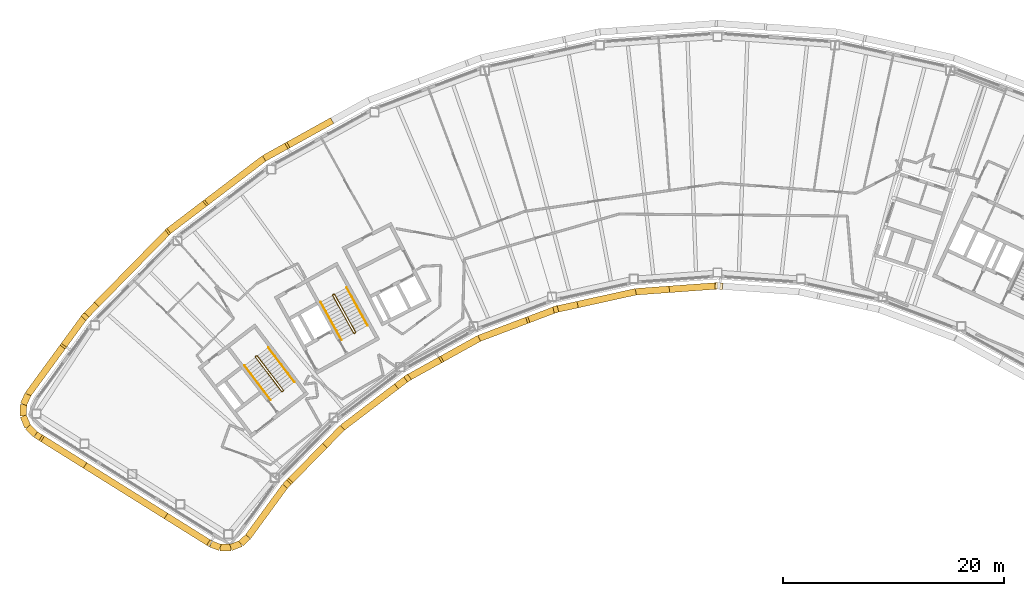
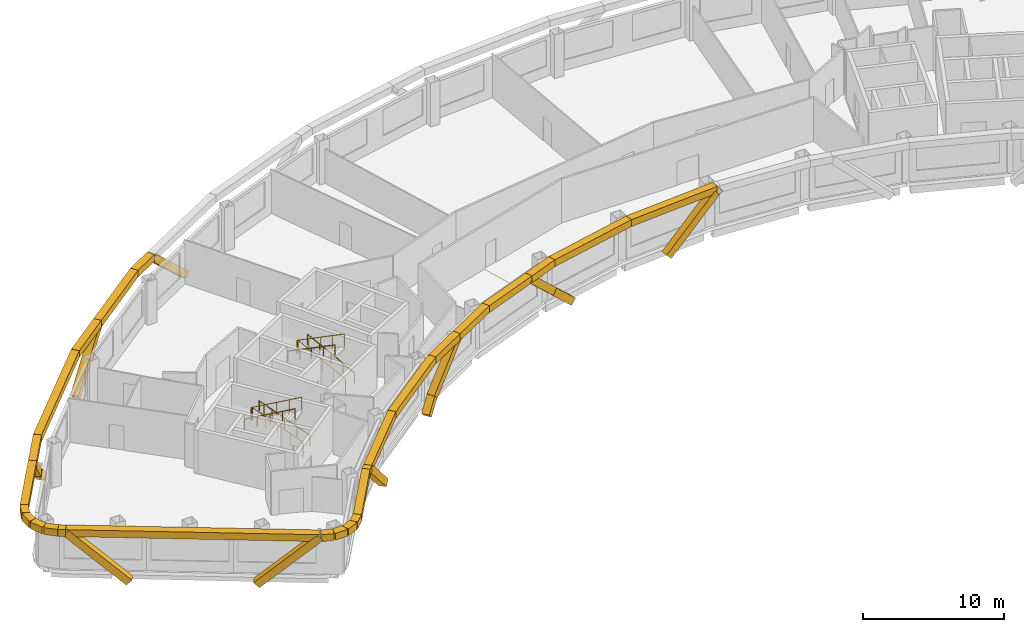
# One storey, part 15 of 18: 39 coverings, 6 railings.
"""IFC4 building model written with IfcOpenShell, lengths in metres."""

from ifc_helpers import new_model, si_unit, direction, frame, origin, origin_2d, place, context, subcontext, project, spatial, rectangle, circle, extrude, material, material_profile, profile_set, type_object, element, save


model = new_model("IFC4")

# Units and contexts
model_context = context("Model", 3, precision=1e-05, world=origin(), true_north=direction((0.0, 1.0)))
body_context = subcontext(model_context, "Body", "Model", "MODEL_VIEW")
ifc_project = project(units=[si_unit("LENGTHUNIT", "METRE"), si_unit("AREAUNIT", "SQUARE_METRE"), si_unit("VOLUMEUNIT", "CUBIC_METRE"), si_unit("PLANEANGLEUNIT", "RADIAN"), si_unit("MASSUNIT", "GRAM", prefix="KILO")], contexts=[model_context])

# Site, building, storey
site_placement = place(None, origin())
site = spatial("IfcSite", under=ifc_project, at=site_placement, CompositionType="ELEMENT")
building_placement = place(site_placement, origin())
building = spatial("IfcBuilding", under=site, at=building_placement, Name="Tuul Gate Civic Tower", CompositionType="ELEMENT")
storey_placement = place(building_placement, frame((0.0, 0.0, 234.699951171875)))
storey = spatial("IfcBuildingStorey", under=building, at=storey_placement, Name="Level 53", CompositionType="ELEMENT", Elevation=234.699951171875)

# Railings
ifc_material_1 = material(Name="Painted steel", Category="steel")
railing_type_1 = type_object("IfcRailingType", Name="Stair guard", PredefinedType="GUARDRAIL", material=ifc_material_1)
railing_1_placement = place(storey_placement, frame((-33.382080078125, -13.515380859375, 0.0)))
element("IfcRailing", 1, at=railing_1_placement, inside=storey, type_object=railing_type_1, Name="Level 53 ST-1 stair guard 1", PredefinedType="GUARDRAIL", context=body_context, shape_type="SweptSolid", body=[
    extrude(circle(Radius=0.02392578125, at=origin_2d()), frame((0.0, 0.0, 1.076171875), z_axis=(-0.795879841968, -0.605454603706, 0.0), x_axis=(0.605454603706, -0.795879841968, 0.0)), (0.0, 0.0, 1.0), 0.10009765625),
    extrude(circle(Radius=0.02392578125, at=origin_2d()), frame((-0.07958984375, -0.060546875, 1.076171875), z_axis=(0.408676696321, 0.599019267211, 0.688592241747), x_axis=(-0.826063974707, 0.563576356576, 0.0)), (0.0, 0.0, 1.0), 0.218017578125),
    extrude(circle(Radius=0.02392578125, at=origin_2d()), frame((0.009521484375, 0.070068359375, 1.22607421875), z_axis=(-0.541824460341, 0.711645023348, 0.447199748346), x_axis=(-0.795637165283, -0.60577347352, 0.0)), (0.0, 0.0, 1.0), 4.3603515625),
    extrude(circle(Radius=0.02392578125, at=origin_2d()), frame((-2.35302734375, 3.173095703125, 3.17626953125), z_axis=(-0.990893089246, 0.134650977284, 0.0), x_axis=(-0.134650977284, -0.990893089246, 0.0)), (0.0, 0.0, 1.0), 0.07080078125),
    extrude(circle(Radius=0.02392578125, at=origin_2d()), frame((-2.423095703125, 3.1826171875, 3.17626953125), z_axis=(-0.793802879778, -0.60817512943, 0.0), x_axis=(0.60817512943, -0.793802879778, 0.0)), (0.0, 0.0, 1.0), 0.099853515625),
    extrude(circle(Radius=0.02392578125, at=origin_2d()), frame((-2.50244140625, 3.121826171875, 3.17626953125), z_axis=(-0.057447065493, -0.422751481959, 0.904423031091), x_axis=(0.990893089246, -0.134650977284, 0.0)), (0.0, 0.0, 1.0), 0.165771484375),
    extrude(circle(Radius=0.02392578125, at=origin_2d()), frame((-2.511962890625, 3.0517578125, 3.326171875), z_axis=(0.541806494602, -0.71163897684, 0.447231136047), x_axis=(0.795644365679, 0.605764016233, 0.0)), (0.0, 0.0, 1.0), 4.360107421875),
    extrude(circle(Radius=0.02099609375, at=origin_2d()), origin(), (0.0, 0.0, 1.0), 1.052001953125),
    extrude(circle(Radius=0.02099609375, at=origin_2d()), frame((-0.07958984375, -0.060546875, 0.0)), (0.0, 0.0, 1.0), 1.052001953125),
    extrude(circle(Radius=0.02099609375, at=origin_2d()), frame((0.009521484375, 0.070068359375, 0.150146484375)), (0.0, 0.0, 1.0), 1.052001953125),
    extrude(circle(Radius=0.02099609375, at=origin_2d()), frame((-0.5810546875, 0.845703125, 0.6376953125)), (0.0, 0.0, 1.0), 1.052001953125),
    extrude(circle(Radius=0.02099609375, at=origin_2d()), frame((-1.171875, 1.62158203125, 1.125)), (0.0, 0.0, 1.0), 1.052001953125),
    extrude(circle(Radius=0.02099609375, at=origin_2d()), frame((-1.762451171875, 2.3974609375, 1.612548828125)), (0.0, 0.0, 1.0), 1.052001953125),
    extrude(circle(Radius=0.02099609375, at=origin_2d()), frame((-2.35302734375, 3.173095703125, 2.10009765625)), (0.0, 0.0, 1.0), 1.052001953125),
    extrude(circle(Radius=0.02099609375, at=origin_2d()), frame((-2.423095703125, 3.1826171875, 2.10009765625)), (0.0, 0.0, 1.0), 1.052001953125),
    extrude(circle(Radius=0.02099609375, at=origin_2d()), frame((-2.50244140625, 3.121826171875, 2.10009765625)), (0.0, 0.0, 1.0), 1.052001953125),
    extrude(circle(Radius=0.02099609375, at=origin_2d()), frame((-2.511962890625, 3.0517578125, 2.25)), (0.0, 0.0, 1.0), 1.052001953125),
    extrude(circle(Radius=0.02099609375, at=origin_2d()), frame((-1.92138671875, 2.276123046875, 2.737548828125)), (0.0, 0.0, 1.0), 1.052001953125),
    extrude(circle(Radius=0.02099609375, at=origin_2d()), frame((-1.330810546875, 1.50048828125, 3.22509765625)), (0.0, 0.0, 1.0), 1.052001953125),
    extrude(circle(Radius=0.02099609375, at=origin_2d()), frame((-0.740234375, 0.724609375, 3.71240234375)), (0.0, 0.0, 1.0), 1.052001953125),
    extrude(circle(Radius=0.02099609375, at=origin_2d()), frame((-0.149658203125, -0.051025390625, 4.199951171875)), (0.0, 0.0, 1.0), 1.052001953125),
])
railing_2_placement = place(storey_placement, frame((-26.857666015625, -8.247314453125, 0.0)))
element("IfcRailing", 2, at=railing_2_placement, inside=storey, type_object=railing_type_1, Name="Level 53 ST-2 stair guard 1", PredefinedType="GUARDRAIL", context=body_context, shape_type="SweptSolid", body=[
    extrude(circle(Radius=0.02392578125, at=origin_2d()), frame((0.0, 0.0, 1.076171875), z_axis=(-0.874616555828, -0.48481530532, 0.0), x_axis=(0.48481530532, -0.874616555828, 0.0)), (0.0, 0.0, 1.0), 0.10009765625),
    extrude(circle(Radius=0.02392578125, at=origin_2d()), frame((-0.087646484375, -0.048583984375, 1.076171875), z_axis=(0.490435707169, 0.534104639999, 0.688625479244), x_axis=(-0.736576986774, 0.676353711126, 0.0)), (0.0, 0.0, 1.0), 0.218017578125),
    extrude(circle(Radius=0.02392578125, at=origin_2d()), frame((0.019287109375, 0.06787109375, 1.22607421875), z_axis=(-0.43354991378, 0.782327185242, 0.447212083348), x_axis=(-0.874667644053, -0.484723129681, 0.0)), (0.0, 0.0, 1.0), 4.3603515625),
    extrude(circle(Radius=0.02392578125, at=origin_2d()), frame((-1.87109375, 3.47900390625, 3.17626953125), z_axis=(-0.961263487578, 0.275631107549, 0.0), x_axis=(-0.275631107549, -0.961263487578, 0.0)), (0.0, 0.0, 1.0), 0.07080078125),
    extrude(circle(Radius=0.02392578125, at=origin_2d()), frame((-1.939208984375, 3.49853515625, 3.17626953125), z_axis=(-0.874042088414, -0.485850211157, 0.0), x_axis=(0.485850211157, -0.874042088414, 0.0)), (0.0, 0.0, 1.0), 0.10009765625),
    extrude(circle(Radius=0.02392578125, at=origin_2d()), frame((-2.026611328125, 3.449951171875, 3.17626953125), z_axis=(-0.117866478395, -0.409586012422, 0.90462522168), x_axis=(0.961000426733, -0.276546885391, 0.0)), (0.0, 0.0, 1.0), 0.165771484375),
    extrude(circle(Radius=0.02392578125, at=origin_2d()), frame((-2.046142578125, 3.382080078125, 3.326171875), z_axis=(0.433595379963, -0.782308193291, 0.447201226726), x_axis=(0.874641102302, 0.484771020343, 0.0)), (0.0, 0.0, 1.0), 4.3603515625),
    extrude(circle(Radius=0.02099609375, at=origin_2d()), origin(), (0.0, 0.0, 1.0), 1.052001953125),
    extrude(circle(Radius=0.02099609375, at=origin_2d()), frame((-0.087646484375, -0.048583984375, 0.0)), (0.0, 0.0, 1.0), 1.052001953125),
    extrude(circle(Radius=0.02099609375, at=origin_2d()), frame((0.019287109375, 0.06787109375, 0.150146484375)), (0.0, 0.0, 1.0), 1.052001953125),
    extrude(circle(Radius=0.02099609375, at=origin_2d()), frame((-0.453369140625, 0.920654296875, 0.6376953125)), (0.0, 0.0, 1.0), 1.052001953125),
    extrude(circle(Radius=0.02099609375, at=origin_2d()), frame((-0.92578125, 1.7734375, 1.125)), (0.0, 0.0, 1.0), 1.052001953125),
    extrude(circle(Radius=0.02099609375, at=origin_2d()), frame((-1.3984375, 2.626220703125, 1.612548828125)), (0.0, 0.0, 1.0), 1.052001953125),
    extrude(circle(Radius=0.02099609375, at=origin_2d()), frame((-1.87109375, 3.47900390625, 2.10009765625)), (0.0, 0.0, 1.0), 1.052001953125),
    extrude(circle(Radius=0.02099609375, at=origin_2d()), frame((-1.939208984375, 3.49853515625, 2.10009765625)), (0.0, 0.0, 1.0), 1.052001953125),
    extrude(circle(Radius=0.02099609375, at=origin_2d()), frame((-2.026611328125, 3.449951171875, 2.10009765625)), (0.0, 0.0, 1.0), 1.052001953125),
    extrude(circle(Radius=0.02099609375, at=origin_2d()), frame((-2.046142578125, 3.382080078125, 2.25)), (0.0, 0.0, 1.0), 1.052001953125),
    extrude(circle(Radius=0.02099609375, at=origin_2d()), frame((-1.573486328125, 2.529296875, 2.737548828125)), (0.0, 0.0, 1.0), 1.052001953125),
    extrude(circle(Radius=0.02099609375, at=origin_2d()), frame((-1.100830078125, 1.676513671875, 3.22509765625)), (0.0, 0.0, 1.0), 1.052001953125),
    extrude(circle(Radius=0.02099609375, at=origin_2d()), frame((-0.628173828125, 0.82373046875, 3.71240234375)), (0.0, 0.0, 1.0), 1.052001953125),
    extrude(circle(Radius=0.02099609375, at=origin_2d()), frame((-0.155517578125, -0.029052734375, 4.199951171875)), (0.0, 0.0, 1.0), 1.052001953125),
])
ifc_material_2 = material(Name="Painted steel", Category="steel")
railing_type_2 = type_object("IfcRailingType", Name="Stair handrail", PredefinedType="HANDRAIL", material=ifc_material_2)
railing_3_placement = place(storey_placement, frame((-32.3779296875, -12.688232421875, 0.150146484375)))
element("IfcRailing", 3, at=railing_3_placement, inside=storey, type_object=railing_type_2, Name="Level 53 ST-1 stair handrail 1", PredefinedType="HANDRAIL", context=body_context, shape_type="SweptSolid", body=[
    extrude(circle(Radius=0.02392578125, at=origin_2d()), frame((0.0, 0.0, 0.8759765625), z_axis=(-0.541824460341, 0.711645023348, 0.447199748346), x_axis=(-0.795637165283, -0.60577347352, 0.0)), (0.0, 0.0, 1.0), 4.3603515625),
    extrude(circle(Radius=0.02099609375, at=origin_2d()), origin(), (0.0, 0.0, 1.0), 0.851806640625),
    extrude(circle(Radius=0.02099609375, at=origin_2d()), frame((-0.590576171875, 0.77587890625, 0.487548828125)), (0.0, 0.0, 1.0), 0.851806640625),
    extrude(circle(Radius=0.02099609375, at=origin_2d()), frame((-1.18115234375, 1.551513671875, 0.97509765625)), (0.0, 0.0, 1.0), 0.851806640625),
    extrude(circle(Radius=0.02099609375, at=origin_2d()), frame((-1.77197265625, 2.3271484375, 1.46240234375)), (0.0, 0.0, 1.0), 0.851806640625),
    extrude(circle(Radius=0.02099609375, at=origin_2d()), frame((-2.362548828125, 3.10302734375, 1.949951171875)), (0.0, 0.0, 1.0), 0.851806640625),
])
railing_4_placement = place(storey_placement, frame((-36.888671875, -11.220703125, 2.25)))
element("IfcRailing", 4, at=railing_4_placement, inside=storey, type_object=railing_type_2, Name="Level 53 ST-1 stair handrail 2", PredefinedType="HANDRAIL", context=body_context, shape_type="SweptSolid", body=[
    extrude(circle(Radius=0.02392578125, at=origin_2d()), frame((0.0, 0.0, 0.8759765625), z_axis=(0.541824460341, -0.711645023348, 0.447199748346), x_axis=(0.795637165283, 0.60577347352, 0.0)), (0.0, 0.0, 1.0), 4.3603515625),
    extrude(circle(Radius=0.02099609375, at=origin_2d()), origin(), (0.0, 0.0, 1.0), 0.851806640625),
    extrude(circle(Radius=0.02099609375, at=origin_2d()), frame((0.590576171875, -0.77587890625, 0.487548828125)), (0.0, 0.0, 1.0), 0.851806640625),
    extrude(circle(Radius=0.02099609375, at=origin_2d()), frame((1.18115234375, -1.551513671875, 0.97509765625)), (0.0, 0.0, 1.0), 0.851806640625),
    extrude(circle(Radius=0.02099609375, at=origin_2d()), frame((1.77197265625, -2.3271484375, 1.46240234375)), (0.0, 0.0, 1.0), 0.851806640625),
    extrude(circle(Radius=0.02099609375, at=origin_2d()), frame((2.362548828125, -3.10302734375, 1.949951171875)), (0.0, 0.0, 1.0), 0.851806640625),
])
railing_5_placement = place(storey_placement, frame((-25.744873046875, -7.573486328125, 0.150146484375)))
element("IfcRailing", 5, at=railing_5_placement, inside=storey, type_object=railing_type_2, Name="Level 53 ST-2 stair handrail 1", PredefinedType="HANDRAIL", context=body_context, shape_type="SweptSolid", body=[
    extrude(circle(Radius=0.02392578125, at=origin_2d()), frame((0.0, 0.0, 0.8759765625), z_axis=(-0.433595379963, 0.782308193291, 0.447201226726), x_axis=(-0.874641102302, -0.484771020343, 0.0)), (0.0, 0.0, 1.0), 4.3603515625),
    extrude(circle(Radius=0.02099609375, at=origin_2d()), origin(), (0.0, 0.0, 1.0), 0.851806640625),
    extrude(circle(Radius=0.02099609375, at=origin_2d()), frame((-0.47265625, 0.852783203125, 0.487548828125)), (0.0, 0.0, 1.0), 0.851806640625),
    extrude(circle(Radius=0.02099609375, at=origin_2d()), frame((-0.9453125, 1.70556640625, 0.97509765625)), (0.0, 0.0, 1.0), 0.851806640625),
    extrude(circle(Radius=0.02099609375, at=origin_2d()), frame((-1.41796875, 2.558349609375, 1.46240234375)), (0.0, 0.0, 1.0), 0.851806640625),
    extrude(circle(Radius=0.02099609375, at=origin_2d()), frame((-1.890625, 3.4111328125, 1.949951171875)), (0.0, 0.0, 1.0), 0.851806640625),
])
railing_6_placement = place(storey_placement, frame((-29.9970703125, -5.47119140625, 2.25)))
element("IfcRailing", 6, at=railing_6_placement, inside=storey, type_object=railing_type_2, Name="Level 53 ST-2 stair handrail 2", PredefinedType="HANDRAIL", context=body_context, shape_type="SweptSolid", body=[
    extrude(circle(Radius=0.02392578125, at=origin_2d()), frame((0.0, 0.0, 0.8759765625), z_axis=(0.433595379963, -0.782308193291, 0.447201226726), x_axis=(0.874641102302, 0.484771020343, 0.0)), (0.0, 0.0, 1.0), 4.3603515625),
    extrude(circle(Radius=0.02099609375, at=origin_2d()), origin(), (0.0, 0.0, 1.0), 0.851806640625),
    extrude(circle(Radius=0.02099609375, at=origin_2d()), frame((0.47265625, -0.852783203125, 0.487548828125)), (0.0, 0.0, 1.0), 0.851806640625),
    extrude(circle(Radius=0.02099609375, at=origin_2d()), frame((0.9453125, -1.70556640625, 0.97509765625)), (0.0, 0.0, 1.0), 0.851806640625),
    extrude(circle(Radius=0.02099609375, at=origin_2d()), frame((1.41796875, -2.558349609375, 1.46240234375)), (0.0, 0.0, 1.0), 0.851806640625),
    extrude(circle(Radius=0.02099609375, at=origin_2d()), frame((1.890625, -3.4111328125, 1.949951171875)), (0.0, 0.0, 1.0), 0.851806640625),
])

# Coverings
ifc_material_3 = material(Name="Terracotta baguette", Category="masonry")
ifc_material_profile = material_profile(ifc_material_3, rectangle(XDim=0.60009765625, YDim=0.60009765625, at=origin_2d()), Name="Terracotta baguette screen frame")
ifc_profile_set = profile_set([ifc_material_profile], Name="Terracotta baguette")
covering_type = type_object("IfcCoveringType", Name="Terracotta baguette screen frame", PredefinedType="CLADDING", material=ifc_profile_set)
covering_1_placement = place(storey_placement, frame((-29.1328125, 10.86962890625, -0.349853515625), z_axis=(-0.641761439668, -0.35575304914, 0.679398279791), x_axis=(0.48482929666, -0.874608800036, 0.0)))
element("IfcCovering", 7, at=covering_1_placement, inside=storey, type_object=covering_type, Name="Baguette 104", PredefinedType="CLADDING", context=body_context, shape_type="SweptSolid", body=[
    extrude(rectangle(XDim=0.60009765625, YDim=0.60009765625, at=origin_2d()), origin(), (0.0, 0.0, 1.0), 6.181884765625),
])
covering_2_placement = place(storey_placement, frame((-33.10009765625, 8.67041015625, 3.85009765625), z_axis=(-0.874590710613, -0.484861927675, 0.0), x_axis=(0.484861927675, -0.874590710613, 0.0)))
element("IfcCovering", 8, at=covering_2_placement, inside=storey, type_object=covering_type, Name="Baguette 109", PredefinedType="CLADDING", context=body_context, shape_type="SweptSolid", body=[
    extrude(rectangle(XDim=0.60009765625, YDim=0.60009765625, at=origin_2d()), origin(), (0.0, 0.0, 1.0), 2.3095703125),
])
covering_3_placement = place(storey_placement, frame((-35.1201171875, 7.550537109375, 3.85009765625), z_axis=(-0.795616483898, -0.605800635977, 0.0), x_axis=(0.605800635977, -0.795616483898, 0.0)))
element("IfcCovering", 9, at=covering_3_placement, inside=storey, type_object=covering_type, Name="Baguette 110", PredefinedType="CLADDING", context=body_context, shape_type="SweptSolid", body=[
    extrude(rectangle(XDim=0.60009765625, YDim=0.60009765625, at=origin_2d()), origin(), (0.0, 0.0, 1.0), 6.762939453125),
])
covering_4_placement = place(storey_placement, frame((-40.500732421875, 3.45361328125, 3.85009765625), z_axis=(-0.583816270672, -0.444522370607, -0.679380912396), x_axis=(0.605793108402, -0.79562221551, 0.0)))
element("IfcCovering", 10, at=covering_4_placement, inside=storey, type_object=covering_type, Name="Baguette 113", PredefinedType="CLADDING", context=body_context, shape_type="SweptSolid", body=[
    extrude(rectangle(XDim=0.60009765625, YDim=0.60009765625, at=origin_2d()), origin(), (0.0, 0.0, 1.0), 5.57177734375),
])
covering_5_placement = place(storey_placement, frame((-50.41748046875, -5.822021484375, -0.349853515625), z_axis=(-0.513733098761, -0.523959320737, 0.679370983668), x_axis=(0.714040485418, -0.700104410202, 0.0)))
element("IfcCovering", 11, at=covering_5_placement, inside=storey, type_object=covering_type, Name="Baguette 127", PredefinedType="CLADDING", context=body_context, shape_type="SweptSolid", body=[
    extrude(rectangle(XDim=0.60009765625, YDim=0.60009765625, at=origin_2d()), origin(), (0.0, 0.0, 1.0), 1.814453125),
])
covering_6_placement = place(storey_placement, frame((-51.349609375, -6.772705078125, 0.8828125), z_axis=(-0.433893580082, -0.593928069857, 0.677484914223), x_axis=(0.807475813419, -0.58990067871, 0.0)))
element("IfcCovering", 12, at=covering_6_placement, inside=storey, type_object=covering_type, Name="Baguette 128", PredefinedType="CLADDING", context=body_context, shape_type="SweptSolid", body=[
    extrude(rectangle(XDim=0.60009765625, YDim=0.60009765625, at=origin_2d()), origin(), (0.0, 0.0, 1.0), 4.3798828125),
])
covering_7_placement = place(storey_placement, frame((-53.25, -9.3740234375, 3.85009765625), z_axis=(-0.589871149902, -0.807497384834, 0.0), x_axis=(0.807497384834, -0.589871149902, 0.0)))
element("IfcCovering", 13, at=covering_7_placement, inside=storey, type_object=covering_type, Name="Baguette 141", PredefinedType="CLADDING", context=body_context, shape_type="SweptSolid", body=[
    extrude(rectangle(XDim=0.60009765625, YDim=0.60009765625, at=origin_2d()), origin(), (0.0, 0.0, 1.0), 5.513916015625),
])
covering_8_placement = place(storey_placement, frame((-56.50244140625, -13.826416015625, 3.85009765625), z_axis=(-0.411904289645, -0.911227115582, 0.0), x_axis=(0.911227115582, -0.411904289645, 0.0)))
element("IfcCovering", 14, at=covering_8_placement, inside=storey, type_object=covering_type, Name="Baguette 142", PredefinedType="CLADDING", context=body_context, shape_type="SweptSolid", body=[
    extrude(rectangle(XDim=0.60009765625, YDim=0.60009765625, at=origin_2d()), origin(), (0.0, 0.0, 1.0), 0.988525390625),
])
covering_9_placement = place(storey_placement, frame((-56.90966796875, -14.727294921875, 3.85009765625), z_axis=(-0.014657151856, -0.99989257818, 0.0), x_axis=(0.99989257818, -0.014657151856, 0.0)))
element("IfcCovering", 15, at=covering_9_placement, inside=storey, type_object=covering_type, Name="Baguette 143", PredefinedType="CLADDING", context=body_context, shape_type="SweptSolid", body=[
    extrude(rectangle(XDim=0.60009765625, YDim=0.60009765625, at=origin_2d()), origin(), (0.0, 0.0, 1.0), 1.06591796875),
])
covering_10_placement = place(storey_placement, frame((-56.92529296875, -15.793212890625, 3.85009765625), z_axis=(0.385784883999, -0.922588761734, 0.0), x_axis=(0.922588761734, 0.385784883999, 0.0)))
element("IfcCovering", 16, at=covering_10_placement, inside=storey, type_object=covering_type, Name="Baguette 144", PredefinedType="CLADDING", context=body_context, shape_type="SweptSolid", body=[
    extrude(rectangle(XDim=0.60009765625, YDim=0.60009765625, at=origin_2d()), origin(), (0.0, 0.0, 1.0), 1.06689453125),
])
covering_11_placement = place(storey_placement, frame((-56.513671875, -16.777587890625, 3.85009765625), z_axis=(0.722137314744, -0.691749737011, 0.0), x_axis=(0.691749737011, 0.722137314744, 0.0)))
element("IfcCovering", 17, at=covering_11_placement, inside=storey, type_object=covering_type, Name="Baguette 145", PredefinedType="CLADDING", context=body_context, shape_type="SweptSolid", body=[
    extrude(rectangle(XDim=0.60009765625, YDim=0.60009765625, at=origin_2d()), origin(), (0.0, 0.0, 1.0), 0.98828125),
])
covering_12_placement = place(storey_placement, frame((-55.800048828125, -17.461181640625, 3.85009765625), z_axis=(0.848253589781, -0.529590263717, 0.0), x_axis=(0.529590263717, 0.848253589781, 0.0)))
element("IfcCovering", 18, at=covering_12_placement, inside=storey, type_object=covering_type, Name="Baguette 146", PredefinedType="CLADDING", context=body_context, shape_type="SweptSolid", body=[
    extrude(rectangle(XDim=0.60009765625, YDim=0.60009765625, at=origin_2d()), origin(), (0.0, 0.0, 1.0), 0.537109375),
])
covering_13_placement = place(storey_placement, frame((-55.344482421875, -17.74560546875, 3.85009765625), z_axis=(0.621682648798, -0.388452812544, -0.680158140884), x_axis=(0.529901976461, 0.848058898511, 0.0)))
element("IfcCovering", 19, at=covering_13_placement, inside=storey, type_object=covering_type, Name="Baguette 148", PredefinedType="CLADDING", context=body_context, shape_type="SweptSolid", body=[
    extrude(rectangle(XDim=0.60009765625, YDim=0.60009765625, at=origin_2d()), origin(), (0.0, 0.0, 1.0), 6.175048828125),
])
covering_14_placement = place(storey_placement, frame((-43.828125, -24.941650390625, -0.349853515625), z_axis=(0.62165839142, -0.388462360599, 0.68017485897), x_axis=(0.529926214669, 0.848043753002, 0.0)))
element("IfcCovering", 20, at=covering_14_placement, inside=storey, type_object=covering_type, Name="Baguette 156", PredefinedType="CLADDING", context=body_context, shape_type="SweptSolid", body=[
    extrude(rectangle(XDim=0.60009765625, YDim=0.60009765625, at=origin_2d()), origin(), (0.0, 0.0, 1.0), 6.1748046875),
])
covering_15_placement = place(storey_placement, frame((-39.944580078125, -27.368408203125, 3.85009765625), z_axis=(0.93189278144, -0.362733847194, 0.0), x_axis=(0.362733847194, 0.93189278144, 0.0)))
element("IfcCovering", 21, at=covering_15_placement, inside=storey, type_object=covering_type, Name="Baguette 172", PredefinedType="CLADDING", context=body_context, shape_type="SweptSolid", body=[
    extrude(rectangle(XDim=0.60009765625, YDim=0.60009765625, at=origin_2d()), origin(), (0.0, 0.0, 1.0), 0.901123046875),
])
covering_16_placement = place(storey_placement, frame((-39.104736328125, -27.6953125, 3.85009765625), z_axis=(0.999996192163, 0.002759648297, 0.0), x_axis=(-0.002759648297, 0.999996192163, 0.0)))
element("IfcCovering", 22, at=covering_16_placement, inside=storey, type_object=covering_type, Name="Baguette 173", PredefinedType="CLADDING", context=body_context, shape_type="SweptSolid", body=[
    extrude(rectangle(XDim=0.60009765625, YDim=0.60009765625, at=origin_2d()), origin(), (0.0, 0.0, 1.0), 0.97314453125),
])
covering_17_placement = place(storey_placement, frame((-38.131591796875, -27.692626953125, 3.85009765625), z_axis=(0.929477054746, 0.368879932634, 0.0), x_axis=(-0.368879932634, 0.929477054746, 0.0)))
element("IfcCovering", 23, at=covering_17_placement, inside=storey, type_object=covering_type, Name="Baguette 174", PredefinedType="CLADDING", context=body_context, shape_type="SweptSolid", body=[
    extrude(rectangle(XDim=0.60009765625, YDim=0.60009765625, at=origin_2d()), origin(), (0.0, 0.0, 1.0), 0.972900390625),
])
covering_18_placement = place(storey_placement, frame((-37.227294921875, -27.333740234375, 3.85009765625), z_axis=(0.730001285686, 0.683445771731, 0.0), x_axis=(-0.683445771731, 0.730001285686, 0.0)))
element("IfcCovering", 24, at=covering_18_placement, inside=storey, type_object=covering_type, Name="Baguette 175", PredefinedType="CLADDING", context=body_context, shape_type="SweptSolid", body=[
    extrude(rectangle(XDim=0.60009765625, YDim=0.60009765625, at=origin_2d()), origin(), (0.0, 0.0, 1.0), 0.902099609375),
])
covering_19_placement = place(storey_placement, frame((-36.56884765625, -26.71728515625, 3.85009765625), z_axis=(0.589841740077, 0.807518867682, 0.0), x_axis=(-0.807518867682, 0.589841740077, 0.0)))
element("IfcCovering", 25, at=covering_19_placement, inside=storey, type_object=covering_type, Name="Baguette 176", PredefinedType="CLADDING", context=body_context, shape_type="SweptSolid", body=[
    extrude(rectangle(XDim=0.60009765625, YDim=0.60009765625, at=origin_2d()), origin(), (0.0, 0.0, 1.0), 5.671875),
])
covering_20_placement = place(storey_placement, frame((-33.223388671875, -22.13720703125, 3.85009765625), z_axis=(0.699894417336, 0.714246319264, 0.0), x_axis=(-0.714246319264, 0.699894417336, 0.0)))
element("IfcCovering", 26, at=covering_20_placement, inside=storey, type_object=covering_type, Name="Baguette 177", PredefinedType="CLADDING", context=body_context, shape_type="SweptSolid", body=[
    extrude(rectangle(XDim=0.60009765625, YDim=0.60009765625, at=origin_2d()), origin(), (0.0, 0.0, 1.0), 0.51025390625),
])
covering_21_placement = place(storey_placement, frame((-32.8662109375, -21.772705078125, 3.85009765625), z_axis=(0.507830751011, 0.517993767932, -0.688324331047), x_axis=(-0.714077164411, 0.700066999127, 0.0)))
element("IfcCovering", 27, at=covering_21_placement, inside=storey, type_object=covering_type, Name="Baguette 179", PredefinedType="CLADDING", context=body_context, shape_type="SweptSolid", body=[
    extrude(rectangle(XDim=0.60009765625, YDim=0.60009765625, at=origin_2d()), origin(), (0.0, 0.0, 1.0), 6.101806640625),
])
covering_22_placement = place(storey_placement, frame((-22.96240234375, -12.98046875, -0.349853515625), z_axis=(0.577099521251, 0.43950168578, 0.688327255576), x_axis=(-0.605874698824, 0.795560085302, 0.0)))
element("IfcCovering", 28, at=covering_22_placement, inside=storey, type_object=covering_type, Name="Baguette 192", PredefinedType="CLADDING", context=body_context, shape_type="SweptSolid", body=[
    extrude(rectangle(XDim=0.60009765625, YDim=0.60009765625, at=origin_2d()), origin(), (0.0, 0.0, 1.0), 1.4443359375),
])
covering_23_placement = place(storey_placement, frame((-22.12890625, -12.345703125, 0.644287109375), z_axis=(0.634422759149, 0.351653269573, 0.688365993256), x_axis=(-0.484795901821, 0.874627311246, 0.0)))
element("IfcCovering", 29, at=covering_23_placement, inside=storey, type_object=covering_type, Name="Baguette 193", PredefinedType="CLADDING", context=body_context, shape_type="SweptSolid", body=[
    extrude(rectangle(XDim=0.60009765625, YDim=0.60009765625, at=origin_2d()), origin(), (0.0, 0.0, 1.0), 4.6572265625),
])
covering_24_placement = place(storey_placement, frame((-19.17431640625, -10.7080078125, 3.85009765625), z_axis=(0.874607276747, 0.484832044589, 0.0), x_axis=(-0.484832044589, 0.874607276747, 0.0)))
element("IfcCovering", 30, at=covering_24_placement, inside=storey, type_object=covering_type, Name="Baguette 198", PredefinedType="CLADDING", context=body_context, shape_type="SweptSolid", body=[
    extrude(rectangle(XDim=0.60009765625, YDim=0.60009765625, at=origin_2d()), origin(), (0.0, 0.0, 1.0), 4.0400390625),
])
covering_25_placement = place(storey_placement, frame((-15.640869140625, -8.749267578125, 3.85009765625), z_axis=(0.93536656786, 0.353679775686, 0.0), x_axis=(-0.353679775686, 0.93536656786, 0.0)))
element("IfcCovering", 31, at=covering_25_placement, inside=storey, type_object=covering_type, Name="Baguette 199", PredefinedType="CLADDING", context=body_context, shape_type="SweptSolid", body=[
    extrude(rectangle(XDim=0.60009765625, YDim=0.60009765625, at=origin_2d()), origin(), (0.0, 0.0, 1.0), 4.81201171875),
])
covering_26_placement = place(storey_placement, frame((-11.139892578125, -7.04736328125, 3.85009765625), z_axis=(0.678497137043, 0.256543138255, -0.688351111889), x_axis=(-0.353668375938, 0.935370878241, 0.0)))
element("IfcCovering", 32, at=covering_26_placement, inside=storey, type_object=covering_type, Name="Baguette 202", PredefinedType="CLADDING", context=body_context, shape_type="SweptSolid", body=[
    extrude(rectangle(XDim=0.60009765625, YDim=0.60009765625, at=origin_2d()), origin(), (0.0, 0.0, 1.0), 3.592529296875),
])
covering_27_placement = place(storey_placement, frame((-8.702392578125, -6.125732421875, 1.377197265625), z_axis=(0.708380708043, 0.156174592913, -0.688335869326), x_axis=(-0.215296786561, 0.976548664275, 0.0)))
element("IfcCovering", 33, at=covering_27_placement, inside=storey, type_object=covering_type, Name="Baguette 203", PredefinedType="CLADDING", context=body_context, shape_type="SweptSolid", body=[
    extrude(rectangle(XDim=0.60009765625, YDim=0.60009765625, at=origin_2d()), origin(), (0.0, 0.0, 1.0), 2.509033203125),
])
covering_28_placement = place(storey_placement, frame((1.787109375, -4.294189453125, -0.349853515625), z_axis=(0.723507252188, 0.052317102892, 0.688331443983), x_axis=(-0.072122095663, 0.997395810758, 0.0)))
element("IfcCovering", 34, at=covering_28_placement, inside=storey, type_object=covering_type, Name="Baguette 218", PredefinedType="CLADDING", context=body_context, shape_type="SweptSolid", body=[
    extrude(rectangle(XDim=0.60009765625, YDim=0.60009765625, at=origin_2d()), origin(), (0.0, 0.0, 1.0), 5.73974609375),
])
covering_29_placement = place(storey_placement, frame((5.93994140625, -3.993896484375, 3.60107421875), z_axis=(0.723454877751, -0.052639440732, 0.688361917263), x_axis=(0.072569349598, 0.997363368837, 0.0)))
element("IfcCovering", 35, at=covering_29_placement, inside=storey, type_object=covering_type, Name="Baguette 219", PredefinedType="CLADDING", context=body_context, shape_type="SweptSolid", body=[
    extrude(rectangle(XDim=0.60009765625, YDim=0.60009765625, at=origin_2d()), origin(), (0.0, 0.0, 1.0), 0.36181640625),
])
covering_30_placement = place(storey_placement, frame((-40.500732421875, 3.45361328125, 3.85009765625), z_axis=(-0.79562221551, -0.605793108402, 0.0), x_axis=(0.605793108402, -0.79562221551, 0.0)))
element("IfcCovering", 36, at=covering_30_placement, inside=storey, type_object=covering_type, Name="Baguette 424", PredefinedType="CLADDING", context=body_context, shape_type="SweptSolid", body=[
    extrude(rectangle(XDim=0.60009765625, YDim=0.60009765625, at=origin_2d()), origin(), (0.0, 0.0, 1.0), 4.088623046875),
])
covering_31_placement = place(storey_placement, frame((-43.753662109375, 0.976806640625, 3.85009765625), z_axis=(-0.699995601925, -0.714147153804, 0.0), x_axis=(0.714147153804, -0.699995601925, 0.0)))
element("IfcCovering", 37, at=covering_31_placement, inside=storey, type_object=covering_type, Name="Baguette 425", PredefinedType="CLADDING", context=body_context, shape_type="SweptSolid", body=[
    extrude(rectangle(XDim=0.60009765625, YDim=0.60009765625, at=origin_2d()), origin(), (0.0, 0.0, 1.0), 10.851318359375),
])
covering_32_placement = place(storey_placement, frame((-51.349609375, -6.772705078125, 3.85009765625), z_axis=(-0.58990067871, -0.807475813419, 0.0), x_axis=(0.807475813419, -0.58990067871, 0.0)))
element("IfcCovering", 38, at=covering_32_placement, inside=storey, type_object=covering_type, Name="Baguette 426", PredefinedType="CLADDING", context=body_context, shape_type="SweptSolid", body=[
    extrude(rectangle(XDim=0.60009765625, YDim=0.60009765625, at=origin_2d()), origin(), (0.0, 0.0, 1.0), 3.221435546875),
])
covering_33_placement = place(storey_placement, frame((-55.344482421875, -17.74560546875, 3.85009765625), z_axis=(0.848051326016, -0.529914095342, 0.0), x_axis=(0.529914095342, 0.848051326016, 0.0)))
element("IfcCovering", 39, at=covering_33_placement, inside=storey, type_object=covering_type, Name="Baguette 427", PredefinedType="CLADDING", context=body_context, shape_type="SweptSolid", body=[
    extrude(rectangle(XDim=0.60009765625, YDim=0.60009765625, at=origin_2d()), origin(), (0.0, 0.0, 1.0), 18.106201171875),
])
covering_34_placement = place(storey_placement, frame((-32.8662109375, -21.772705078125, 3.85009765625), z_axis=(0.70003854765, 0.714105056559, 0.0), x_axis=(-0.714105056559, 0.70003854765, 0.0)))
element("IfcCovering", 40, at=covering_34_placement, inside=storey, type_object=covering_type, Name="Baguette 428", PredefinedType="CLADDING", context=body_context, shape_type="SweptSolid", body=[
    extrude(rectangle(XDim=0.60009765625, YDim=0.60009765625, at=origin_2d()), origin(), (0.0, 0.0, 1.0), 6.90771484375),
])
covering_35_placement = place(storey_placement, frame((-28.030517578125, -16.83984375, 3.85009765625), z_axis=(0.795582797942, 0.60584487422, 0.0), x_axis=(-0.60584487422, 0.795582797942, 0.0)))
element("IfcCovering", 41, at=covering_35_placement, inside=storey, type_object=covering_type, Name="Baguette 429", PredefinedType="CLADDING", context=body_context, shape_type="SweptSolid", body=[
    extrude(rectangle(XDim=0.60009765625, YDim=0.60009765625, at=origin_2d()), origin(), (0.0, 0.0, 1.0), 7.41796875),
])
covering_36_placement = place(storey_placement, frame((-22.12890625, -12.345703125, 3.85009765625), z_axis=(0.874627311246, 0.484795901821, 0.0), x_axis=(-0.484795901821, 0.874627311246, 0.0)))
element("IfcCovering", 42, at=covering_36_placement, inside=storey, type_object=covering_type, Name="Baguette 430", PredefinedType="CLADDING", context=body_context, shape_type="SweptSolid", body=[
    extrude(rectangle(XDim=0.60009765625, YDim=0.60009765625, at=origin_2d()), origin(), (0.0, 0.0, 1.0), 3.378173828125),
])
covering_37_placement = place(storey_placement, frame((-11.139892578125, -7.04736328125, 3.85009765625), z_axis=(0.935370878241, 0.353668375938, 0.0), x_axis=(-0.353668375938, 0.935370878241, 0.0)))
element("IfcCovering", 43, at=covering_37_placement, inside=storey, type_object=covering_type, Name="Baguette 431", PredefinedType="CLADDING", context=body_context, shape_type="SweptSolid", body=[
    extrude(rectangle(XDim=0.60009765625, YDim=0.60009765625, at=origin_2d()), origin(), (0.0, 0.0, 1.0), 2.60595703125),
])
covering_38_placement = place(storey_placement, frame((-8.702392578125, -6.125732421875, 3.85009765625), z_axis=(0.976557361117, 0.215257335413, 0.0), x_axis=(-0.215257335413, 0.976557361117, 0.0)))
element("IfcCovering", 44, at=covering_38_placement, inside=storey, type_object=covering_type, Name="Baguette 432", PredefinedType="CLADDING", context=body_context, shape_type="SweptSolid", body=[
    extrude(rectangle(XDim=0.60009765625, YDim=0.60009765625, at=origin_2d()), origin(), (0.0, 0.0, 1.0), 7.41748046875),
])
covering_39_placement = place(storey_placement, frame((-1.458740234375, -4.529052734375, 3.85009765625), z_axis=(0.997394311548, 0.072142825637, 0.0), x_axis=(-0.072142825637, 0.997394311548, 0.0)))
element("IfcCovering", 45, at=covering_39_placement, inside=storey, type_object=covering_type, Name="Baguette 433", PredefinedType="CLADDING", context=body_context, shape_type="SweptSolid", body=[
    extrude(rectangle(XDim=0.60009765625, YDim=0.60009765625, at=origin_2d()), origin(), (0.0, 0.0, 1.0), 7.41796875),
])

save(model, "model.ifc")
